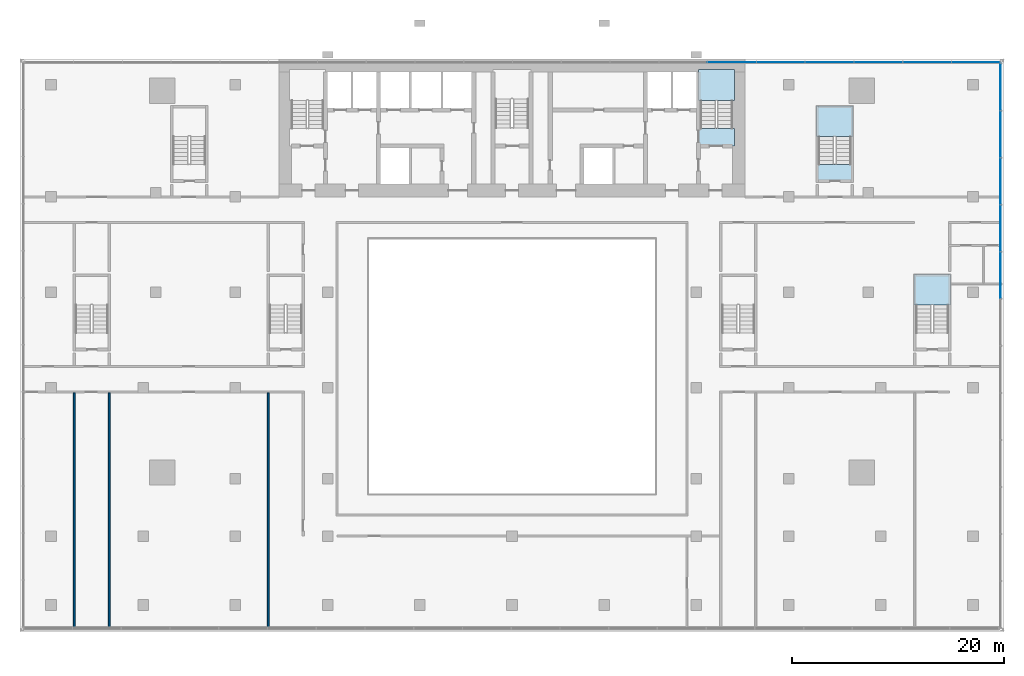
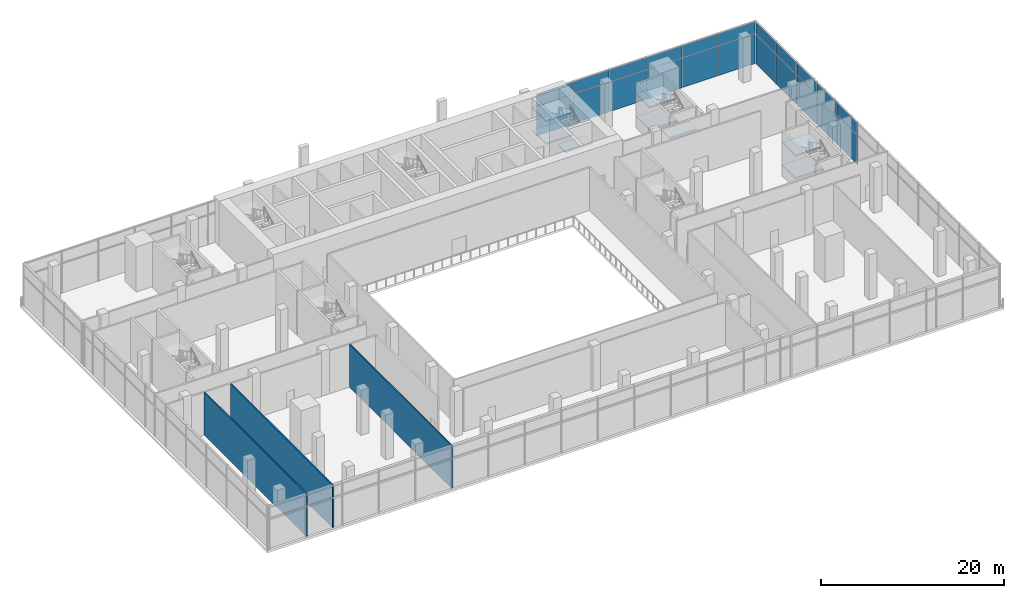
# One storey, part 11 of 22: 22 plates, 8 slabs, 3 walls, 5 elements without a shape of their own.
"""IFC4 building model written with IfcOpenShell, lengths in metres."""

import ifcopenshell
import ifcopenshell.guid

model = None  # the IFC model being written
_history = None  # IfcOwnerHistory: only IFC2X3 demands one
_inside = {}  # id of a spatial element -> (the spatial element, [elements in it])
_under = {}  # id of a project, library or spatial element -> (it, [spatial elements below it])
_declared = {}  # id of a project -> (the project, [libraries it declares])
_typed = {}  # id of a type object -> (the type object, [elements of that type])
_made_of = {}  # id of a material, layer set ... -> (it, [elements and type objects made of it])


def new_model(schema):
    """Start an empty IFC model of exactly this schema.

    Asked for "IFC4X3", IfcOpenShell would pick the latest addendum, in which some entities
    have other attributes; the version numbers below select the first issue.
    IFC2X3 requires an IfcOwnerHistory on every rooted entity: one is made here for all.
    """
    global model, _history
    if schema == "IFC4X3":
        model = ifcopenshell.file(schema_version=(4, 3, 0, 0))
    else:
        model = ifcopenshell.file(schema=schema)
    _inside.clear()
    _under.clear()
    _declared.clear()
    _typed.clear()
    _made_of.clear()
    _history = None
    if model.schema == "IFC2X3":
        org = make("IfcOrganization", Name="unknown")
        user = make(
            "IfcPersonAndOrganization",
            ThePerson=make("IfcPerson", FamilyName="unknown"),
            TheOrganization=org,
        )
        app = make(
            "IfcApplication",
            ApplicationDeveloper=org,
            Version="unknown",
            ApplicationFullName="unknown",
            ApplicationIdentifier="unknown",
        )
        _history = make(
            "IfcOwnerHistory",
            OwningUser=user,
            OwningApplication=app,
            ChangeAction="ADDED",
            CreationDate=0,
        )
    return model


def make(cls, **values):
    """One entity of the class cls with the attributes given. An attribute that is None is left unset."""
    return model.create_entity(
        cls, **{name: value for name, value in values.items() if value is not None}
    )


def rooted(cls, **values):
    """An entity with a GlobalId (a new one), such as an element, a storey or a relation."""
    return make(cls, GlobalId=ifcopenshell.guid.new(), OwnerHistory=_history, **values)


def si_unit(unit_type, name, prefix=None):
    """IfcSIUnit, for example si_unit("LENGTHUNIT", "METRE", prefix="MILLI")."""
    return make("IfcSIUnit", UnitType=unit_type, Prefix=prefix, Name=name)


def assignment(units):
    """IfcUnitAssignment: the units of a project."""
    return None if units is None else make("IfcUnitAssignment", Units=units)


def point(xyz):
    """IfcCartesianPoint."""
    return None if xyz is None else make("IfcCartesianPoint", Coordinates=xyz)


def direction(xyz):
    """IfcDirection."""
    return None if xyz is None else make("IfcDirection", DirectionRatios=xyz)


def frame(location, z_axis=None, x_axis=None):
    """IfcAxis2Placement3D, a coordinate frame: its origin and axes. An axis left out is left unset."""
    return make(
        "IfcAxis2Placement3D",
        Location=point(location),
        Axis=direction(z_axis),
        RefDirection=direction(x_axis),
    )


def frame_2d(location, x_axis=None):
    """IfcAxis2Placement2D, a coordinate frame in the plane: its origin and x axis."""
    return make(
        "IfcAxis2Placement2D", Location=point(location), RefDirection=direction(x_axis)
    )


def origin():
    """The frame at (0, 0, 0) with its axes left unset."""
    return frame((0.0, 0.0, 0.0))


def origin_2d():
    """The frame at (0, 0) in the plane with its x axis left unset."""
    return frame_2d((0.0, 0.0))


def place(relative_to, where):
    """IfcLocalPlacement: puts the frame where relative to a parent placement (None: the world)."""
    return make(
        "IfcLocalPlacement", PlacementRelTo=relative_to, RelativePlacement=where
    )


def context(
    kind, dimensions, precision=None, world=None, true_north=None, identifier=None
):
    """IfcGeometricRepresentationContext, for example the 3D "Model" context."""
    return make(
        "IfcGeometricRepresentationContext",
        ContextIdentifier=identifier,
        ContextType=kind,
        CoordinateSpaceDimension=dimensions,
        Precision=precision,
        WorldCoordinateSystem=world,
        TrueNorth=true_north,
    )


def subcontext(parent, identifier, kind, view, scale=None):
    """IfcGeometricRepresentationSubContext, for example "Body" below "Model"."""
    return make(
        "IfcGeometricRepresentationSubContext",
        ContextIdentifier=identifier,
        ContextType=kind,
        ParentContext=parent,
        TargetScale=scale,
        TargetView=view,
    )


def project(units=None, contexts=None):
    """IfcProject with its units and contexts."""
    return rooted(
        "IfcProject",
        Name="project",
        RepresentationContexts=contexts,
        UnitsInContext=assignment(units),
    )


def spatial(cls, under=None, at=None, **own):
    """A site, building, storey or space (cls), placed at a placement, below another one or the project."""
    s = rooted(cls, ObjectPlacement=at, **own)
    if under is not None:
        _under.setdefault(under.id(), (under, []))[1].append(s)
    return s


def polyline(points):
    """IfcPolyline through the points."""
    return make("IfcPolyline", Points=[point(p) for p in points])


def profile(cls, at=None, kind="AREA", **sizes):
    """A parametric profile (cls). Its sizes go by their IFC names, for example OverallWidth=200.0."""
    return make(cls, ProfileType=kind, Position=at, **sizes)


def rectangle(**sizes):
    """IfcRectangleProfileDef."""
    return profile("IfcRectangleProfileDef", **sizes)


def outline(outer, holes=None, kind="AREA"):
    """IfcArbitraryClosedProfileDef: a profile drawn as a closed curve; with holes, ...WithVoids."""
    if holes is None:
        return make("IfcArbitraryClosedProfileDef", ProfileType=kind, OuterCurve=outer)
    return make(
        "IfcArbitraryProfileDefWithVoids",
        ProfileType=kind,
        OuterCurve=outer,
        InnerCurves=holes,
    )


def extrude(swept, where, along, depth):
    """IfcExtrudedAreaSolid: the profile swept, set in the frame where, extruded along a direction by depth."""
    return make(
        "IfcExtrudedAreaSolid",
        SweptArea=swept,
        Position=where,
        ExtrudedDirection=direction(along),
        Depth=depth,
    )


def shape(context_of_items, identifier, shape_type, items):
    """IfcShapeRepresentation: the items that make up one representation, for example the "Body"."""
    return make(
        "IfcShapeRepresentation",
        ContextOfItems=context_of_items,
        RepresentationIdentifier=identifier,
        RepresentationType=shape_type,
        Items=items,
    )


def material(Name=None, Category=None):
    """IfcMaterial."""
    return make("IfcMaterial", Name=Name, Category=Category)


def layer(
    of_material, thickness, ventilated=None, Name=None, Category=None, Priority=None
):
    """IfcMaterialLayer: one layer of a wall or slab, of a material (None: an air gap)."""
    return make(
        "IfcMaterialLayer",
        Material=of_material,
        LayerThickness=thickness,
        IsVentilated=ventilated,
        Name=Name,
        Category=Category,
        Priority=Priority,
    )


def layer_set(layers, Name=None):
    """IfcMaterialLayerSet."""
    return make("IfcMaterialLayerSet", MaterialLayers=layers, LayerSetName=Name)


def made_of(thing, what):
    """Note that an element or type object is made of a material, layer set ...; save() writes the relation."""
    if what is not None:
        _made_of.setdefault(what.id(), (what, []))[1].append(thing)
    return thing


def type_object(cls, material=None, **own):
    """A type object (cls), such as IfcWallType, which elements share."""
    return made_of(rooted(cls, **own), material)


def element(
    cls,
    number,
    at=None,
    inside=None,
    cuts=None,
    type_object=None,
    material=None,
    context=None,
    identifier="Body",
    shape_type=None,
    held_by="IfcProductDefinitionShape",
    body=None,
    shapes=None,
    **own,
):
    """One element of the class cls, such as IfcWall. Its Tag is "e" and its number.

    at: its placement. inside: the storey or other place that contains it. cuts: it is an
    opening in that element (IfcRelVoidsElement). A single representation is given by context,
    identifier, shape_type and body (its items); several are given by shapes. held_by: the class
    of the entity that holds the representations. save() writes the other relations.
    """
    e = rooted(cls, Tag="e%d" % number, ObjectPlacement=at, **own)
    if body is not None:
        shapes = [shape(context, identifier, shape_type, body)]
    if shapes is not None:
        e.Representation = make(held_by, Representations=shapes)
    if inside is not None:
        _inside.setdefault(inside.id(), (inside, []))[1].append(e)
    if cuts is not None:
        rooted(
            "IfcRelVoidsElement", RelatingBuildingElement=cuts, RelatedOpeningElement=e
        )
    if type_object is not None:
        _typed.setdefault(type_object.id(), (type_object, []))[1].append(e)
    return made_of(e, material)


def aggregate(whole, parts):
    """IfcRelAggregates: a whole, such as a stair, and the parts it consists of."""
    return rooted("IfcRelAggregates", RelatingObject=whole, RelatedObjects=parts)


def save(model, path):
    """Write the relations noted so far, then the file.

    IfcRelAggregates (storeys below a building ...), IfcRelContainedInSpatialStructure (elements
    in a storey), IfcRelDefinesByType, IfcRelAssociatesMaterial and IfcRelDeclares: one each for
    every whole, place, type object, material and project.
    """
    for whole, parts in _under.values():
        aggregate(whole, parts)
    for where, things in _inside.values():
        rooted(
            "IfcRelContainedInSpatialStructure",
            RelatedElements=things,
            RelatingStructure=where,
        )
    for kind, things in _typed.values():
        rooted("IfcRelDefinesByType", RelatedObjects=things, RelatingType=kind)
    for what, things in _made_of.values():
        rooted("IfcRelAssociatesMaterial", RelatedObjects=things, RelatingMaterial=what)
    for by, libraries in _declared.values():
        rooted("IfcRelDeclares", RelatingContext=by, RelatedDefinitions=libraries)
    model.write(path)


model = new_model("IFC4")

# Units and contexts
model_context = context("Model", 3, precision=1e-05, world=origin(), true_north=direction((0.0, 1.0)))
body_context = subcontext(model_context, "Body", "Model", "MODEL_VIEW")
ifc_project = project(units=[si_unit("LENGTHUNIT", "METRE"), si_unit("AREAUNIT", "SQUARE_METRE"), si_unit("VOLUMEUNIT", "CUBIC_METRE"), si_unit("PLANEANGLEUNIT", "RADIAN"), si_unit("MASSUNIT", "GRAM", prefix="KILO")], contexts=[model_context])

# Site, building, storey
site_placement = place(None, origin())
site = spatial("IfcSite", under=ifc_project, at=site_placement, CompositionType="ELEMENT")
building_placement = place(site_placement, origin())
building = spatial("IfcBuilding", under=site, at=building_placement, Name="Bicima Exchange Tower", CompositionType="ELEMENT")
storey_placement = place(building_placement, frame((0.0, 0.0, 14.0)))
storey = spatial("IfcBuildingStorey", under=building, at=storey_placement, Name="L02", CompositionType="ELEMENT", Elevation=14.0)

# Curtain wall, plates
ifc_material_1 = material(Name="Anodised bronze aluminium", Category="aluminium")
curtain_wall_type = type_object("IfcCurtainWallType", Name="Lobby glazing", PredefinedType="NOTDEFINED", material=ifc_material_1)
curtain_wall_1_placement = place(storey_placement, origin())
curtain_wall_1 = element("IfcCurtainWall", 1, at=curtain_wall_1_placement, inside=storey, type_object=curtain_wall_type, Name="Podium glazing L02 east 1", PredefinedType="NOTDEFINED")
ifc_material_2 = material(Name="Clear low-iron glass", Category="glass")
ifc_layer_1 = layer(ifc_material_2, 0.035888671875)
ifc_layer_set_1 = layer_set([ifc_layer_1], Name="Clear low-iron glass")
plate_type = type_object("IfcPlateType", Name="Lobby glazing glass panel 36", PredefinedType="CURTAIN_PANEL", material=ifc_layer_set_1)
plate_1_placement = place(storey_placement, frame((46.10009765625, -20.39501953125, 0.0), z_axis=(0.0, 0.0, 1.0), x_axis=(0.0, 1.0, 0.0)))
plate_1 = element("IfcPlate", 2, at=plate_1_placement, type_object=plate_type, Name="Lobby glazing panel 8.1", PredefinedType="CURTAIN_PANEL", context=body_context, shape_type="SweptSolid", body=[
    extrude(rectangle(XDim=4.376708984375, YDim=0.035888671875, at=origin_2d()), origin(), (0.0, 0.0, 1.0), 3.929931640625),
])
plate_2_placement = place(storey_placement, frame((46.10009765625, -20.39501953125, 4.0), z_axis=(0.0, 0.0, 1.0), x_axis=(0.0, 1.0, 0.0)))
plate_2 = element("IfcPlate", 3, at=plate_2_placement, type_object=plate_type, Name="Lobby glazing panel 8.2", PredefinedType="CURTAIN_PANEL", context=body_context, shape_type="SweptSolid", body=[
    extrude(rectangle(XDim=4.376708984375, YDim=0.035888671875, at=origin_2d()), origin(), (0.0, 0.0, 1.0), 1.56005859375),
])
plate_3_placement = place(storey_placement, frame((46.10009765625, -15.958251953125, 0.0), z_axis=(0.0, 0.0, 1.0), x_axis=(0.0, 1.0, 0.0)))
plate_3 = element("IfcPlate", 4, at=plate_3_placement, type_object=plate_type, Name="Lobby glazing panel 9.1", PredefinedType="CURTAIN_PANEL", context=body_context, shape_type="SweptSolid", body=[
    extrude(rectangle(XDim=4.376708984375, YDim=0.035888671875, at=origin_2d()), origin(), (0.0, 0.0, 1.0), 3.929931640625),
])
plate_4_placement = place(storey_placement, frame((46.10009765625, -15.958251953125, 4.0), z_axis=(0.0, 0.0, 1.0), x_axis=(0.0, 1.0, 0.0)))
plate_4 = element("IfcPlate", 5, at=plate_4_placement, type_object=plate_type, Name="Lobby glazing panel 9.2", PredefinedType="CURTAIN_PANEL", context=body_context, shape_type="SweptSolid", body=[
    extrude(rectangle(XDim=4.376708984375, YDim=0.035888671875, at=origin_2d()), origin(), (0.0, 0.0, 1.0), 1.56005859375),
])
plate_5_placement = place(storey_placement, frame((46.10009765625, -11.521728515625, 0.0), z_axis=(0.0, 0.0, 1.0), x_axis=(0.0, 1.0, 0.0)))
plate_5 = element("IfcPlate", 6, at=plate_5_placement, type_object=plate_type, Name="Lobby glazing panel 10.1", PredefinedType="CURTAIN_PANEL", context=body_context, shape_type="SweptSolid", body=[
    extrude(rectangle(XDim=4.376708984375, YDim=0.035888671875, at=origin_2d()), origin(), (0.0, 0.0, 1.0), 3.929931640625),
])
plate_6_placement = place(storey_placement, frame((46.10009765625, -11.521728515625, 4.0), z_axis=(0.0, 0.0, 1.0), x_axis=(0.0, 1.0, 0.0)))
plate_6 = element("IfcPlate", 7, at=plate_6_placement, type_object=plate_type, Name="Lobby glazing panel 10.2", PredefinedType="CURTAIN_PANEL", context=body_context, shape_type="SweptSolid", body=[
    extrude(rectangle(XDim=4.376708984375, YDim=0.035888671875, at=origin_2d()), origin(), (0.0, 0.0, 1.0), 1.56005859375),
])
plate_7_placement = place(storey_placement, frame((46.10009765625, -7.0849609375, 0.0), z_axis=(0.0, 0.0, 1.0), x_axis=(0.0, 1.0, 0.0)))
plate_7 = element("IfcPlate", 8, at=plate_7_placement, type_object=plate_type, Name="Lobby glazing panel 11.1", PredefinedType="CURTAIN_PANEL", context=body_context, shape_type="SweptSolid", body=[
    extrude(rectangle(XDim=4.376708984375, YDim=0.035888671875, at=origin_2d()), origin(), (0.0, 0.0, 1.0), 3.929931640625),
])
plate_8_placement = place(storey_placement, frame((46.10009765625, -7.0849609375, 4.0), z_axis=(0.0, 0.0, 1.0), x_axis=(0.0, 1.0, 0.0)))
plate_8 = element("IfcPlate", 9, at=plate_8_placement, type_object=plate_type, Name="Lobby glazing panel 11.2", PredefinedType="CURTAIN_PANEL", context=body_context, shape_type="SweptSolid", body=[
    extrude(rectangle(XDim=4.376708984375, YDim=0.035888671875, at=origin_2d()), origin(), (0.0, 0.0, 1.0), 1.56005859375),
])
plate_9_placement = place(storey_placement, frame((46.10009765625, -2.648193359375, 0.0), z_axis=(0.0, 0.0, 1.0), x_axis=(0.0, 1.0, 0.0)))
plate_9 = element("IfcPlate", 10, at=plate_9_placement, type_object=plate_type, Name="Lobby glazing panel 12.1", PredefinedType="CURTAIN_PANEL", context=body_context, shape_type="SweptSolid", body=[
    extrude(rectangle(XDim=4.376708984375, YDim=0.035888671875, at=origin_2d()), origin(), (0.0, 0.0, 1.0), 3.929931640625),
])
plate_10_placement = place(storey_placement, frame((46.10009765625, -2.648193359375, 4.0), z_axis=(0.0, 0.0, 1.0), x_axis=(0.0, 1.0, 0.0)))
plate_10 = element("IfcPlate", 11, at=plate_10_placement, type_object=plate_type, Name="Lobby glazing panel 12.2", PredefinedType="CURTAIN_PANEL", context=body_context, shape_type="SweptSolid", body=[
    extrude(rectangle(XDim=4.376708984375, YDim=0.035888671875, at=origin_2d()), origin(), (0.0, 0.0, 1.0), 1.56005859375),
])
aggregate(curtain_wall_1, [plate_1, plate_2, plate_3, plate_4, plate_5, plate_6, plate_7, plate_8, plate_9, plate_10])

curtain_wall_2_placement = place(storey_placement, origin())
curtain_wall_2 = element("IfcCurtainWall", 12, at=curtain_wall_2_placement, inside=storey, type_object=curtain_wall_type, Name="Podium glazing L02 north 1", PredefinedType="NOTDEFINED")
plate_11_placement = place(storey_placement, frame((43.76904296875, -0.300048828125, 0.0), z_axis=(0.0, 0.0, 1.0), x_axis=(-1.0, 0.0, 0.0)))
plate_11 = element("IfcPlate", 13, at=plate_11_placement, type_object=plate_type, Name="Lobby glazing panel 1.1", PredefinedType="CURTAIN_PANEL", context=body_context, shape_type="SweptSolid", body=[
    extrude(rectangle(XDim=4.5419921875, YDim=0.035888671875, at=origin_2d()), origin(), (0.0, 0.0, 1.0), 3.929931640625),
])
plate_12_placement = place(storey_placement, frame((43.76904296875, -0.300048828125, 4.0), z_axis=(0.0, 0.0, 1.0), x_axis=(-1.0, 0.0, 0.0)))
plate_12 = element("IfcPlate", 14, at=plate_12_placement, type_object=plate_type, Name="Lobby glazing panel 1.2", PredefinedType="CURTAIN_PANEL", context=body_context, shape_type="SweptSolid", body=[
    extrude(rectangle(XDim=4.5419921875, YDim=0.035888671875, at=origin_2d()), origin(), (0.0, 0.0, 1.0), 1.56005859375),
])
plate_13_placement = place(storey_placement, frame((39.1669921875, -0.300048828125, 0.0), z_axis=(0.0, 0.0, 1.0), x_axis=(-1.0, 0.0, 0.0)))
plate_13 = element("IfcPlate", 15, at=plate_13_placement, type_object=plate_type, Name="Lobby glazing panel 2.1", PredefinedType="CURTAIN_PANEL", context=body_context, shape_type="SweptSolid", body=[
    extrude(rectangle(XDim=4.5419921875, YDim=0.035888671875, at=origin_2d()), origin(), (0.0, 0.0, 1.0), 3.929931640625),
])
plate_14_placement = place(storey_placement, frame((39.1669921875, -0.300048828125, 4.0), z_axis=(0.0, 0.0, 1.0), x_axis=(-1.0, 0.0, 0.0)))
plate_14 = element("IfcPlate", 16, at=plate_14_placement, type_object=plate_type, Name="Lobby glazing panel 2.2", PredefinedType="CURTAIN_PANEL", context=body_context, shape_type="SweptSolid", body=[
    extrude(rectangle(XDim=4.5419921875, YDim=0.035888671875, at=origin_2d()), origin(), (0.0, 0.0, 1.0), 1.56005859375),
])
plate_15_placement = place(storey_placement, frame((34.56494140625, -0.300048828125, 0.0), z_axis=(0.0, 0.0, 1.0), x_axis=(-1.0, 0.0, 0.0)))
plate_15 = element("IfcPlate", 17, at=plate_15_placement, type_object=plate_type, Name="Lobby glazing panel 3.1", PredefinedType="CURTAIN_PANEL", context=body_context, shape_type="SweptSolid", body=[
    extrude(rectangle(XDim=4.5419921875, YDim=0.035888671875, at=origin_2d()), origin(), (0.0, 0.0, 1.0), 3.929931640625),
])
plate_16_placement = place(storey_placement, frame((34.56494140625, -0.300048828125, 4.0), z_axis=(0.0, 0.0, 1.0), x_axis=(-1.0, 0.0, 0.0)))
plate_16 = element("IfcPlate", 18, at=plate_16_placement, type_object=plate_type, Name="Lobby glazing panel 3.2", PredefinedType="CURTAIN_PANEL", context=body_context, shape_type="SweptSolid", body=[
    extrude(rectangle(XDim=4.5419921875, YDim=0.035888671875, at=origin_2d()), origin(), (0.0, 0.0, 1.0), 1.56005859375),
])
plate_17_placement = place(storey_placement, frame((29.962890625, -0.300048828125, 0.0), z_axis=(0.0, 0.0, 1.0), x_axis=(-1.0, 0.0, 0.0)))
plate_17 = element("IfcPlate", 19, at=plate_17_placement, type_object=plate_type, Name="Lobby glazing panel 4.1", PredefinedType="CURTAIN_PANEL", context=body_context, shape_type="SweptSolid", body=[
    extrude(rectangle(XDim=4.5419921875, YDim=0.035888671875, at=origin_2d()), origin(), (0.0, 0.0, 1.0), 3.929931640625),
])
plate_18_placement = place(storey_placement, frame((29.962890625, -0.300048828125, 4.0), z_axis=(0.0, 0.0, 1.0), x_axis=(-1.0, 0.0, 0.0)))
plate_18 = element("IfcPlate", 20, at=plate_18_placement, type_object=plate_type, Name="Lobby glazing panel 4.2", PredefinedType="CURTAIN_PANEL", context=body_context, shape_type="SweptSolid", body=[
    extrude(rectangle(XDim=4.5419921875, YDim=0.035888671875, at=origin_2d()), origin(), (0.0, 0.0, 1.0), 1.56005859375),
])
plate_19_placement = place(storey_placement, frame((25.361083984375, -0.300048828125, 0.0), z_axis=(0.0, 0.0, 1.0), x_axis=(-1.0, 0.0, 0.0)))
plate_19 = element("IfcPlate", 21, at=plate_19_placement, type_object=plate_type, Name="Lobby glazing panel 5.1", PredefinedType="CURTAIN_PANEL", context=body_context, shape_type="SweptSolid", body=[
    extrude(rectangle(XDim=4.5419921875, YDim=0.035888671875, at=origin_2d()), origin(), (0.0, 0.0, 1.0), 3.929931640625),
])
plate_20_placement = place(storey_placement, frame((25.361083984375, -0.300048828125, 4.0), z_axis=(0.0, 0.0, 1.0), x_axis=(-1.0, 0.0, 0.0)))
plate_20 = element("IfcPlate", 22, at=plate_20_placement, type_object=plate_type, Name="Lobby glazing panel 5.2", PredefinedType="CURTAIN_PANEL", context=body_context, shape_type="SweptSolid", body=[
    extrude(rectangle(XDim=4.5419921875, YDim=0.035888671875, at=origin_2d()), origin(), (0.0, 0.0, 1.0), 1.56005859375),
])
plate_21_placement = place(storey_placement, frame((20.759033203125, -0.300048828125, 0.0), z_axis=(0.0, 0.0, 1.0), x_axis=(-1.0, 0.0, 0.0)))
plate_21 = element("IfcPlate", 23, at=plate_21_placement, type_object=plate_type, Name="Lobby glazing panel 6.1", PredefinedType="CURTAIN_PANEL", context=body_context, shape_type="SweptSolid", body=[
    extrude(rectangle(XDim=4.5419921875, YDim=0.035888671875, at=origin_2d()), origin(), (0.0, 0.0, 1.0), 3.929931640625),
])
plate_22_placement = place(storey_placement, frame((20.759033203125, -0.300048828125, 4.0), z_axis=(0.0, 0.0, 1.0), x_axis=(-1.0, 0.0, 0.0)))
plate_22 = element("IfcPlate", 24, at=plate_22_placement, type_object=plate_type, Name="Lobby glazing panel 6.2", PredefinedType="CURTAIN_PANEL", context=body_context, shape_type="SweptSolid", body=[
    extrude(rectangle(XDim=4.5419921875, YDim=0.035888671875, at=origin_2d()), origin(), (0.0, 0.0, 1.0), 1.56005859375),
])
aggregate(curtain_wall_2, [plate_11, plate_12, plate_13, plate_14, plate_15, plate_16, plate_17, plate_18, plate_19, plate_20, plate_21, plate_22])

# Stair, slabs
ifc_material_3 = material(Name="Concrete C50/60", Category="concrete")
stair_type = type_object("IfcStairType", Name="Exit stair", PredefinedType="HALF_TURN_STAIR", material=ifc_material_3)
stair_1_placement = place(storey_placement, origin())
stair_1 = element("IfcStair", 25, at=stair_1_placement, inside=storey, type_object=stair_type, Name="L02 East exit stair", PredefinedType="HALF_TURN_STAIR")
ifc_layer_2 = layer(ifc_material_3, 0.199951171875)
ifc_layer_set_2 = layer_set([ifc_layer_2], Name="Concrete C50/60")
slab_type = type_object("IfcSlabType", Name="Stair landing slab", PredefinedType="LANDING", material=ifc_layer_set_2)
slab_1_placement = place(storey_placement, frame((0.0, 0.0, 1.300048828125)))
slab_1 = element("IfcSlab", 26, at=slab_1_placement, type_object=slab_type, Name="ST-E landing 1", PredefinedType="LANDING", context=body_context, shape_type="SweptSolid", body=[
    extrude(outline(polyline([(21.0, -3.919921875), (21.0, -1.0), (17.60009765625, -1.0), (17.60009765625, -3.919921875), (21.0, -3.919921875)])), origin(), (0.0, 0.0, 1.0), 0.199951171875),
])
slab_2_placement = place(storey_placement, frame((0.0, 0.0, 2.800048828125)))
slab_2 = element("IfcSlab", 27, at=slab_2_placement, type_object=slab_type, Name="ST-E landing 2", PredefinedType="LANDING", context=body_context, shape_type="SweptSolid", body=[
    extrude(outline(polyline([(21.0, -8.199951171875), (21.0, -6.550048828125), (17.60009765625, -6.550048828125), (17.60009765625, -8.199951171875), (21.0, -8.199951171875)])), origin(), (0.0, 0.0, 1.0), 0.199951171875),
])
slab_3_placement = place(storey_placement, frame((0.0, 0.0, 4.300048828125)))
slab_3 = element("IfcSlab", 28, at=slab_3_placement, type_object=slab_type, Name="ST-E landing 3", PredefinedType="LANDING", context=body_context, shape_type="SweptSolid", body=[
    extrude(outline(polyline([(21.0, -3.919921875), (21.0, -1.0), (17.60009765625, -1.0), (17.60009765625, -3.919921875), (21.0, -3.919921875)])), origin(), (0.0, 0.0, 1.0), 0.199951171875),
])
aggregate(stair_1, [slab_1, slab_2, slab_3])

stair_2_placement = place(storey_placement, origin())
stair_2 = element("IfcStair", 29, at=stair_2_placement, inside=storey, type_object=stair_type, Name="L02 East end exit stair", PredefinedType="HALF_TURN_STAIR")
slab_4_placement = place(storey_placement, frame((0.0, 0.0, 1.300048828125)))
slab_4 = element("IfcSlab", 30, at=slab_4_placement, type_object=slab_type, Name="ST-EE landing 1", PredefinedType="LANDING", context=body_context, shape_type="SweptSolid", body=[
    extrude(outline(polyline([(32.175048828125, -7.294921875), (32.175048828125, -4.425048828125), (28.72509765625, -4.425048828125), (28.72509765625, -7.294921875), (32.175048828125, -7.294921875)])), origin(), (0.0, 0.0, 1.0), 0.199951171875),
])
slab_5_placement = place(storey_placement, frame((0.0, 0.0, 2.800048828125)))
slab_5 = element("IfcSlab", 31, at=slab_5_placement, type_object=slab_type, Name="ST-EE landing 2", PredefinedType="LANDING", context=body_context, shape_type="SweptSolid", body=[
    extrude(outline(polyline([(32.175048828125, -11.574951171875), (32.175048828125, -9.925048828125), (28.72509765625, -9.925048828125), (28.72509765625, -11.574951171875), (32.175048828125, -11.574951171875)])), origin(), (0.0, 0.0, 1.0), 0.199951171875),
])
slab_6_placement = place(storey_placement, frame((0.0, 0.0, 4.300048828125)))
slab_6 = element("IfcSlab", 32, at=slab_6_placement, type_object=slab_type, Name="ST-EE landing 3", PredefinedType="LANDING", context=body_context, shape_type="SweptSolid", body=[
    extrude(outline(polyline([(32.175048828125, -7.294921875), (32.175048828125, -4.425048828125), (28.72509765625, -4.425048828125), (28.72509765625, -7.294921875), (32.175048828125, -7.294921875)])), origin(), (0.0, 0.0, 1.0), 0.199951171875),
])
aggregate(stair_2, [slab_4, slab_5, slab_6])

stair_3_placement = place(storey_placement, origin())
stair_3 = element("IfcStair", 33, at=stair_3_placement, inside=storey, type_object=stair_type, Name="L02 Podium east stair", PredefinedType="HALF_TURN_STAIR")
slab_7_placement = place(storey_placement, frame((0.0, 0.0, 1.300048828125)))
slab_7 = element("IfcSlab", 34, at=slab_7_placement, type_object=slab_type, Name="PS-E landing 1", PredefinedType="LANDING", context=body_context, shape_type="SweptSolid", body=[
    extrude(outline(polyline([(41.375, -23.195068359375), (41.375, -20.324951171875), (37.925048828125, -20.324951171875), (37.925048828125, -23.195068359375), (41.375, -23.195068359375)])), origin(), (0.0, 0.0, 1.0), 0.199951171875),
])
slab_8_placement = place(storey_placement, frame((0.0, 0.0, 4.300048828125)))
slab_8 = element("IfcSlab", 35, at=slab_8_placement, type_object=slab_type, Name="PS-E landing 3", PredefinedType="LANDING", context=body_context, shape_type="SweptSolid", body=[
    extrude(outline(polyline([(41.375, -23.195068359375), (41.375, -20.324951171875), (37.925048828125, -20.324951171875), (37.925048828125, -23.195068359375), (41.375, -23.195068359375)])), origin(), (0.0, 0.0, 1.0), 0.199951171875),
])
aggregate(stair_3, [slab_7, slab_8])

# Walls
ifc_material_4 = material(Name="Gypsum board partition")
ifc_layer_3 = layer(ifc_material_4, 0.14990234375)
ifc_layer_set_3 = layer_set([ifc_layer_3], Name="Gypsum board partition")
wall_type = type_object("IfcWallType", Name="Gypsum partition 150", PredefinedType="PARTITIONING", material=ifc_layer_set_3)
for number, where, z_axis, x_axis, name in (
    (36, (-41.300048828125, -53.7900390625, 0.0), (0.0, 0.0, 1.0), (0.0, 1.0, 0.0), "partition wall 29"),
    (37, (-38.0, -53.7900390625, 0.0), (0.0, 0.0, 1.0), (0.0, 1.0, 0.0), "partition wall 31"),
    (38, (-23.0, -53.7900390625, 0.0), (0.0, 0.0, 1.0), (0.0, 1.0, 0.0), "partition wall 35"),
):
    element("IfcWall", number, at=place(storey_placement, frame(where, z_axis=z_axis, x_axis=x_axis)), inside=storey, type_object=wall_type, Name=name, PredefinedType="PARTITIONING", context=body_context, shape_type="SweptSolid", body=[
        extrude(rectangle(XDim=22.2900390625, YDim=0.14990234375, at=frame_2d((11.14501953125, 0.0))), origin(), (0.0, 0.0, 1.0), 5.699951171875),
    ])

save(model, "model.ifc")
